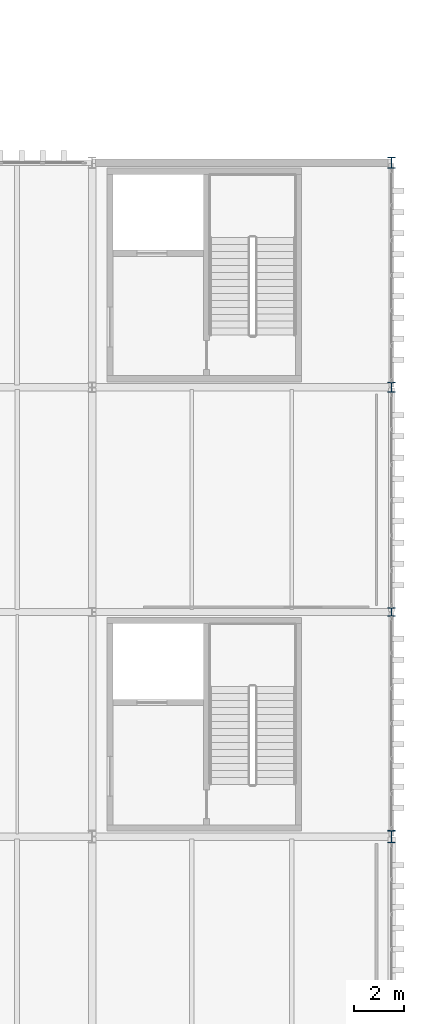
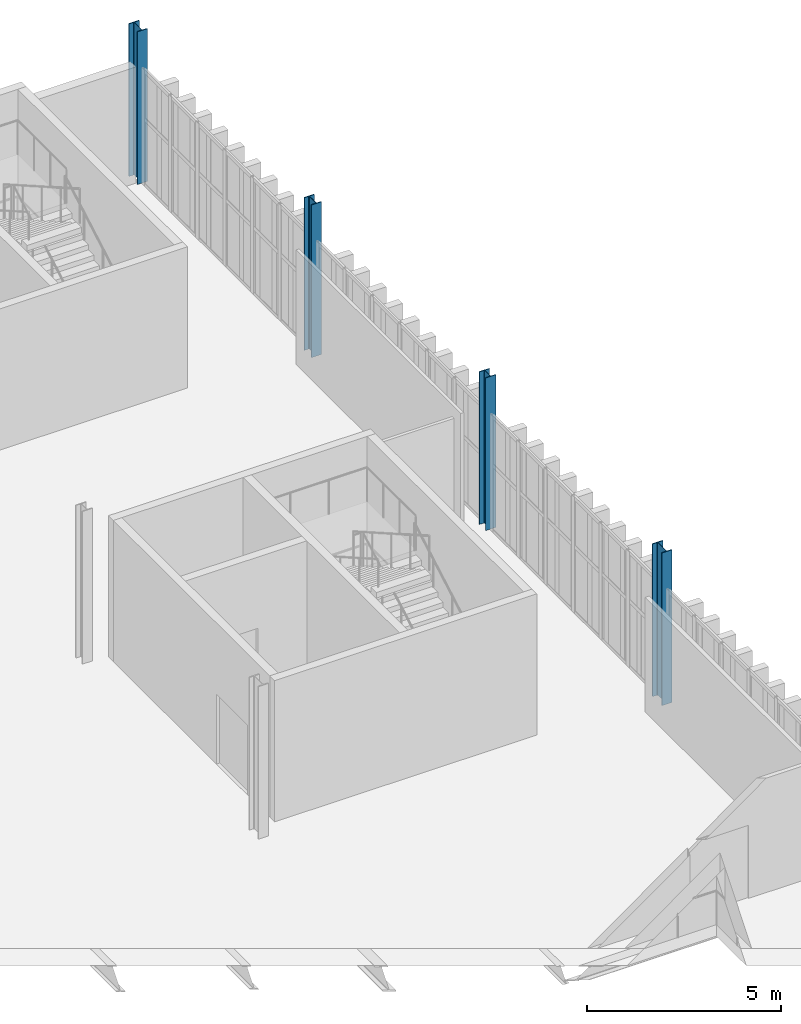
# One storey, part 16 of 196: 4 columns.
"""IFC4 building model written with IfcOpenShell, lengths in metres."""

from ifc_helpers import new_model, si_unit, direction, frame, origin, origin_2d, place, context, subcontext, project, spatial, i_section, extrude, material, material_profile, profile_set, type_object, element, save


model = new_model("IFC4")

# Units and contexts
model_context = context("Model", 3, precision=1e-05, world=origin(), true_north=direction((0.0, 1.0)))
body_context = subcontext(model_context, "Body", "Model", "MODEL_VIEW")
ifc_project = project(units=[si_unit("LENGTHUNIT", "METRE"), si_unit("AREAUNIT", "SQUARE_METRE"), si_unit("VOLUMEUNIT", "CUBIC_METRE"), si_unit("PLANEANGLEUNIT", "RADIAN"), si_unit("MASSUNIT", "GRAM", prefix="KILO")], contexts=[model_context])

# Site, building, storey
site_placement = place(None, origin())
site = spatial("IfcSite", under=ifc_project, at=site_placement, CompositionType="ELEMENT")
building_placement = place(site_placement, origin())
building = spatial("IfcBuilding", under=site, at=building_placement, Name="Barlavento Convention Centre", CompositionType="ELEMENT")
storey_placement = place(building_placement, frame((0.0, 0.0, 18.0)))
storey = spatial("IfcBuildingStorey", under=building, at=storey_placement, Name="L03", CompositionType="ELEMENT", Elevation=18.0)

# Columns
ifc_material = material(Name="Steel S355", Category="steel")
ifc_material_profile_1 = material_profile(ifc_material, i_section(OverallWidth=0.300048828125, OverallDepth=0.340087890625, WebThickness=0.011962890625, FlangeThickness=0.021484375, FilletRadius=0.027099609375, at=origin_2d()), Name="HEB 340")
ifc_profile_set_1 = profile_set([ifc_material_profile_1], Name="Steel S355")
column_type_1 = type_object("IfcColumnType", Name="STR-COL-HEB340", PredefinedType="COLUMN", material=ifc_profile_set_1)
column_1_placement = place(storey_placement, frame((192.0, 81.0, 0.0), z_axis=(0.0, 0.0, 1.0), x_axis=(1.0, 0.0, 0.0)))
element("IfcColumn", 1, at=column_1_placement, inside=storey, type_object=column_type_1, Name="L03 column SC12", PredefinedType="COLUMN", context=body_context, shape_type="SweptSolid", body=[
    extrude(i_section(OverallWidth=0.300048828125, OverallDepth=0.340087890625, WebThickness=0.011962890625, FlangeThickness=0.021484375, FilletRadius=0.027099609375, at=origin_2d()), origin(), (0.0, 0.0, 1.0), 4.800048828125),
])
ifc_material_profile_2 = material_profile(ifc_material, i_section(OverallWidth=0.300048828125, OverallDepth=0.39990234375, WebThickness=0.013427734375, FlangeThickness=0.02392578125, FilletRadius=0.027099609375, at=origin_2d()), Name="HEB 400")
ifc_profile_set_2 = profile_set([ifc_material_profile_2], Name="Steel S355")
column_type_2 = type_object("IfcColumnType", Name="STR-COL-HEB400", PredefinedType="COLUMN", material=ifc_profile_set_2)
column_2_placement = place(storey_placement, frame((192.0, 90.0, 0.0), z_axis=(0.0, 0.0, 1.0), x_axis=(1.0, 0.0, 0.0)))
element("IfcColumn", 2, at=column_2_placement, inside=storey, type_object=column_type_2, Name="L03 column SC11", PredefinedType="COLUMN", context=body_context, shape_type="SweptSolid", body=[
    extrude(i_section(OverallWidth=0.300048828125, OverallDepth=0.39990234375, WebThickness=0.013427734375, FlangeThickness=0.02392578125, FilletRadius=0.027099609375, at=origin_2d()), origin(), (0.0, 0.0, 1.0), 4.800048828125),
])
ifc_material_profile_3 = material_profile(ifc_material, i_section(OverallWidth=0.300048828125, OverallDepth=0.449951171875, WebThickness=0.013916015625, FlangeThickness=0.02587890625, FilletRadius=0.027099609375, at=origin_2d()), Name="HEB 450")
ifc_profile_set_3 = profile_set([ifc_material_profile_3], Name="Steel S355")
column_type_3 = type_object("IfcColumnType", Name="STR-COL-HEB450", PredefinedType="COLUMN", material=ifc_profile_set_3)
column_3_placement = place(storey_placement, frame((192.0, 99.0, 0.0), z_axis=(0.0, 0.0, 1.0), x_axis=(1.0, 0.0, 0.0)))
element("IfcColumn", 3, at=column_3_placement, inside=storey, type_object=column_type_3, Name="L03 column SC10", PredefinedType="COLUMN", context=body_context, shape_type="SweptSolid", body=[
    extrude(i_section(OverallWidth=0.300048828125, OverallDepth=0.449951171875, WebThickness=0.013916015625, FlangeThickness=0.02587890625, FilletRadius=0.027099609375, at=origin_2d()), origin(), (0.0, 0.0, 1.0), 4.800048828125),
])
ifc_material_profile_4 = material_profile(ifc_material, i_section(OverallWidth=0.300048828125, OverallDepth=0.5, WebThickness=0.014404296875, FlangeThickness=0.028076171875, FilletRadius=0.027099609375, at=origin_2d()), Name="HEB 500")
ifc_profile_set_4 = profile_set([ifc_material_profile_4], Name="Steel S355")
column_type_4 = type_object("IfcColumnType", Name="STR-COL-HEB500", PredefinedType="COLUMN", material=ifc_profile_set_4)
column_4_placement = place(storey_placement, frame((192.0, 72.0, 0.0), z_axis=(0.0, 0.0, 1.0), x_axis=(1.0, 0.0, 0.0)))
element("IfcColumn", 4, at=column_4_placement, inside=storey, type_object=column_type_4, Name="L03 column SC09", PredefinedType="COLUMN", context=body_context, shape_type="SweptSolid", body=[
    extrude(i_section(OverallWidth=0.300048828125, OverallDepth=0.5, WebThickness=0.014404296875, FlangeThickness=0.028076171875, FilletRadius=0.027099609375, at=origin_2d()), origin(), (0.0, 0.0, 1.0), 4.800048828125),
])

save(model, "model.ifc")
